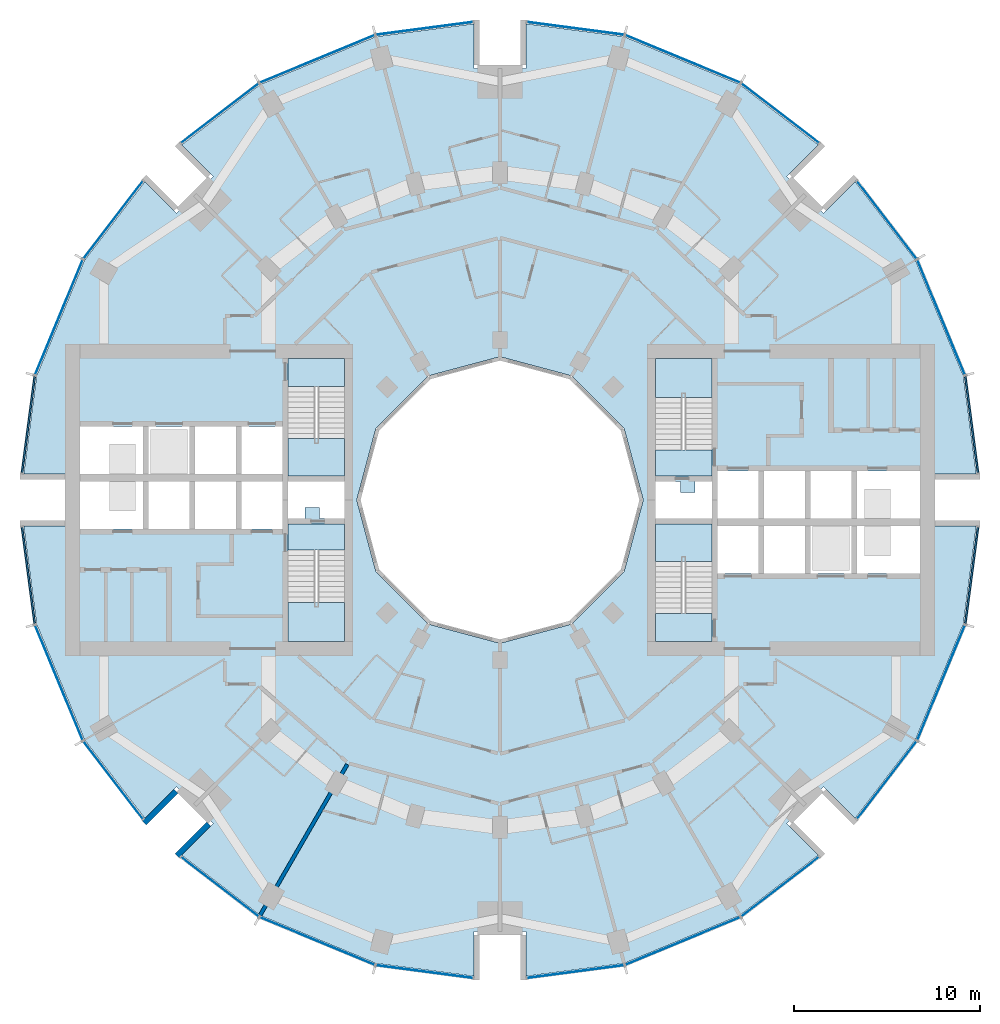
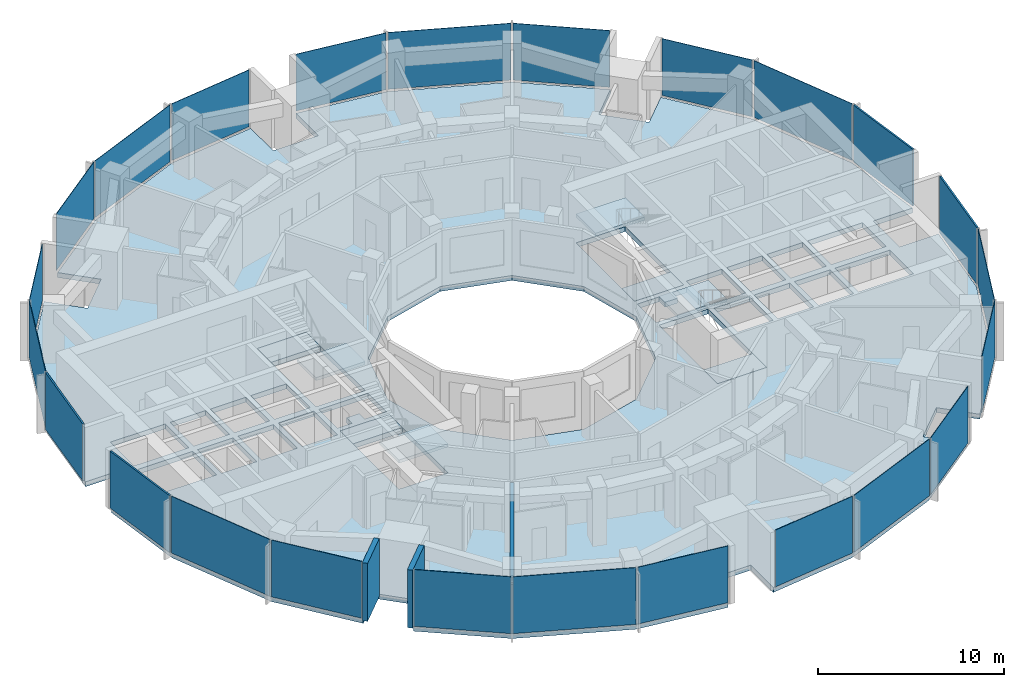
# One storey, part 7 of 15: 24 plates, 9 slabs, 3 walls, 28 elements without a shape of their own.
"""IFC4 building model written with IfcOpenShell, lengths in metres."""

from ifc_helpers import new_model, si_unit, direction, frame, frame_2d, origin, origin_2d, place, context, subcontext, project, spatial, polyline, rectangle, outline, extrude, material, layer, layer_set, type_object, element, aggregate, save


model = new_model("IFC4")

# Units and contexts
model_context = context("Model", 3, precision=1e-05, world=origin(), true_north=direction((0.0, 1.0)))
body_context = subcontext(model_context, "Body", "Model", "MODEL_VIEW")
ifc_project = project(units=[si_unit("LENGTHUNIT", "METRE"), si_unit("AREAUNIT", "SQUARE_METRE"), si_unit("VOLUMEUNIT", "CUBIC_METRE"), si_unit("PLANEANGLEUNIT", "RADIAN"), si_unit("MASSUNIT", "GRAM", prefix="KILO")], contexts=[model_context])

# Site, building, storey
site_placement = place(None, origin())
site = spatial("IfcSite", under=ifc_project, at=site_placement, CompositionType="ELEMENT")
building_placement = place(site_placement, origin())
building = spatial("IfcBuilding", under=site, at=building_placement, Name="Torre Brocal", CompositionType="ELEMENT")
storey_placement = place(building_placement, frame((0.0, 0.0, 36.39990234375)))
storey = spatial("IfcBuildingStorey", under=building, at=storey_placement, Name="L07", CompositionType="ELEMENT", Elevation=36.39990234375)

# Curtain wall, plate
ifc_material_1 = material(Name="Aluminium and glass", Category="aluminium")
ifc_layer_1 = layer(ifc_material_1, 0.199951171875)
ifc_layer_set_1 = layer_set([ifc_layer_1], Name="Aluminium and glass")
curtain_wall_type_1 = type_object("IfcCurtainWallType", Name="CW-1 CURTAIN WALL 3800 HIGH", PredefinedType="NOTDEFINED", material=ifc_layer_set_1)
curtain_wall_1_placement = place(storey_placement, origin())
curtain_wall_1 = element("IfcCurtainWall", 1, at=curtain_wall_1_placement, inside=storey, type_object=curtain_wall_type_1, Name="CW-1 RUN 2", PredefinedType="NOTDEFINED")
ifc_material_2 = material(Name="Glass, dark tinted laminated", Category="glass")
ifc_layer_2 = layer(ifc_material_2, 0.031982421875)
ifc_layer_set_2 = layer_set([ifc_layer_2], Name="Glass, dark tinted laminated")
plate_type_1 = type_object("IfcPlateType", Name="CW-1 GLASS PANEL 32", PredefinedType="CURTAIN_PANEL", material=ifc_layer_set_2)
plate_1_placement = place(storey_placement, frame((103.722900390625, 84.826416015625, 0.080078125), z_axis=(0.0, 0.0, 1.0), x_axis=(-0.382683432333, 0.923879532525, 0.0)))
plate_1 = element("IfcPlate", 2, at=plate_1_placement, type_object=plate_type_1, Name="CW1-1 panel 1.1", PredefinedType="CURTAIN_PANEL", context=body_context, shape_type="SweptSolid", body=[
    extrude(rectangle(XDim=6.64111328125, YDim=0.031982421875, at=origin_2d()), origin(), (0.0, 0.0, 1.0), 3.719970703125),
])
aggregate(curtain_wall_1, [plate_1])

curtain_wall_2_placement = place(storey_placement, origin())
curtain_wall_2 = element("IfcCurtainWall", 3, at=curtain_wall_2_placement, inside=storey, type_object=curtain_wall_type_1, Name="CW-1 RUN 3", PredefinedType="NOTDEFINED")
plate_2_placement = place(storey_placement, frame((100.80126953125, 90.0712890625, 0.080078125), z_axis=(0.0, 0.0, 1.0), x_axis=(-0.60876142905, 0.793353340259, 0.0)))
plate_2 = element("IfcPlate", 4, at=plate_2_placement, type_object=plate_type_1, Name="CW1-1 panel 1.1", PredefinedType="CURTAIN_PANEL", context=body_context, shape_type="SweptSolid", body=[
    extrude(rectangle(XDim=5.22900390625, YDim=0.031982421875, at=origin_2d()), origin(), (0.0, 0.0, 1.0), 3.719970703125),
])
aggregate(curtain_wall_2, [plate_2])

curtain_wall_3_placement = place(storey_placement, origin())
curtain_wall_3 = element("IfcCurtainWall", 5, at=curtain_wall_3_placement, inside=storey, type_object=curtain_wall_type_1, Name="CW-1 RUN 4", PredefinedType="NOTDEFINED")
plate_3_placement = place(storey_placement, frame((95.0712890625, 95.80126953125, 0.080078125), z_axis=(0.0, 0.0, 1.0), x_axis=(-0.793353340259, 0.60876142905, 0.0)))
plate_3 = element("IfcPlate", 6, at=plate_3_placement, type_object=plate_type_1, Name="CW1-1 panel 1.1", PredefinedType="CURTAIN_PANEL", context=body_context, shape_type="SweptSolid", body=[
    extrude(rectangle(XDim=5.22900390625, YDim=0.031982421875, at=origin_2d()), origin(), (0.0, 0.0, 1.0), 3.719970703125),
])
aggregate(curtain_wall_3, [plate_3])

curtain_wall_4_placement = place(storey_placement, origin())
curtain_wall_4 = element("IfcCurtainWall", 7, at=curtain_wall_4_placement, inside=storey, type_object=curtain_wall_type_1, Name="CW-1 RUN 5", PredefinedType="NOTDEFINED")
plate_4_placement = place(storey_placement, frame((89.826416015625, 98.722900390625, 0.080078125), z_axis=(0.0, 0.0, 1.0), x_axis=(-0.923879532525, 0.382683432333, 0.0)))
plate_4 = element("IfcPlate", 8, at=plate_4_placement, type_object=plate_type_1, Name="CW1-1 panel 1.1", PredefinedType="CURTAIN_PANEL", context=body_context, shape_type="SweptSolid", body=[
    extrude(rectangle(XDim=6.64111328125, YDim=0.031982421875, at=origin_2d()), origin(), (0.0, 0.0, 1.0), 3.719970703125),
])
aggregate(curtain_wall_4, [plate_4])

curtain_wall_5_placement = place(storey_placement, origin())
curtain_wall_5 = element("IfcCurtainWall", 9, at=curtain_wall_5_placement, inside=storey, type_object=curtain_wall_type_1, Name="CW-1 RUN 6", PredefinedType="NOTDEFINED")
plate_5_placement = place(storey_placement, frame((84.051513671875, 100.36572265625, 0.080078125), z_axis=(0.0, 0.0, 1.0), x_axis=(-0.991444861374, 0.13052619222, 0.0)))
plate_5 = element("IfcPlate", 10, at=plate_5_placement, type_object=plate_type_1, Name="CW1-1 panel 1.1", PredefinedType="CURTAIN_PANEL", context=body_context, shape_type="SweptSolid", body=[
    extrude(rectangle(XDim=5.22900390625, YDim=0.031982421875, at=origin_2d()), origin(), (0.0, 0.0, 1.0), 3.719970703125),
])
aggregate(curtain_wall_5, [plate_5])

curtain_wall_6_placement = place(storey_placement, origin())
curtain_wall_6 = element("IfcCurtainWall", 11, at=curtain_wall_6_placement, inside=storey, type_object=curtain_wall_type_1, Name="CW-1 RUN 7", PredefinedType="NOTDEFINED")
plate_6_placement = place(storey_placement, frame((75.948486328125, 100.36572265625, 0.080078125), z_axis=(0.0, 0.0, 1.0), x_axis=(-0.991444861374, -0.13052619222, 0.0)))
plate_6 = element("IfcPlate", 12, at=plate_6_placement, type_object=plate_type_1, Name="CW1-1 panel 1.1", PredefinedType="CURTAIN_PANEL", context=body_context, shape_type="SweptSolid", body=[
    extrude(rectangle(XDim=5.22900390625, YDim=0.031982421875, at=origin_2d()), origin(), (0.0, 0.0, 1.0), 3.719970703125),
])
aggregate(curtain_wall_6, [plate_6])

curtain_wall_7_placement = place(storey_placement, origin())
curtain_wall_7 = element("IfcCurtainWall", 13, at=curtain_wall_7_placement, inside=storey, type_object=curtain_wall_type_1, Name="CW-1 RUN 8", PredefinedType="NOTDEFINED")
plate_7_placement = place(storey_placement, frame((70.173583984375, 98.722900390625, 0.080078125), z_axis=(0.0, 0.0, 1.0), x_axis=(-0.923879532525, -0.382683432333, 0.0)))
plate_7 = element("IfcPlate", 14, at=plate_7_placement, type_object=plate_type_1, Name="CW1-1 panel 1.1", PredefinedType="CURTAIN_PANEL", context=body_context, shape_type="SweptSolid", body=[
    extrude(rectangle(XDim=6.64111328125, YDim=0.031982421875, at=origin_2d()), origin(), (0.0, 0.0, 1.0), 3.719970703125),
])
aggregate(curtain_wall_7, [plate_7])

curtain_wall_8_placement = place(storey_placement, origin())
curtain_wall_8 = element("IfcCurtainWall", 15, at=curtain_wall_8_placement, inside=storey, type_object=curtain_wall_type_1, Name="CW-1 RUN 9", PredefinedType="NOTDEFINED")
plate_8_placement = place(storey_placement, frame((64.9287109375, 95.80126953125, 0.080078125), z_axis=(0.0, 0.0, 1.0), x_axis=(-0.793353340259, -0.60876142905, 0.0)))
plate_8 = element("IfcPlate", 16, at=plate_8_placement, type_object=plate_type_1, Name="CW1-1 panel 1.1", PredefinedType="CURTAIN_PANEL", context=body_context, shape_type="SweptSolid", body=[
    extrude(rectangle(XDim=5.22900390625, YDim=0.031982421875, at=origin_2d()), origin(), (0.0, 0.0, 1.0), 3.719970703125),
])
aggregate(curtain_wall_8, [plate_8])

curtain_wall_9_placement = place(storey_placement, origin())
curtain_wall_9 = element("IfcCurtainWall", 17, at=curtain_wall_9_placement, inside=storey, type_object=curtain_wall_type_1, Name="CW-1 RUN 10", PredefinedType="NOTDEFINED")
plate_9_placement = place(storey_placement, frame((59.19873046875, 90.0712890625, 0.080078125), z_axis=(0.0, 0.0, 1.0), x_axis=(-0.60876142905, -0.793353340259, 0.0)))
plate_9 = element("IfcPlate", 18, at=plate_9_placement, type_object=plate_type_1, Name="CW1-1 panel 1.1", PredefinedType="CURTAIN_PANEL", context=body_context, shape_type="SweptSolid", body=[
    extrude(rectangle(XDim=5.22900390625, YDim=0.031982421875, at=origin_2d()), origin(), (0.0, 0.0, 1.0), 3.719970703125),
])
aggregate(curtain_wall_9, [plate_9])

curtain_wall_10_placement = place(storey_placement, origin())
curtain_wall_10 = element("IfcCurtainWall", 19, at=curtain_wall_10_placement, inside=storey, type_object=curtain_wall_type_1, Name="CW-1 RUN 11", PredefinedType="NOTDEFINED")
plate_10_placement = place(storey_placement, frame((56.277099609375, 84.826416015625, 0.080078125), z_axis=(0.0, 0.0, 1.0), x_axis=(-0.382683432333, -0.923879532525, 0.0)))
plate_10 = element("IfcPlate", 20, at=plate_10_placement, type_object=plate_type_1, Name="CW1-1 panel 1.1", PredefinedType="CURTAIN_PANEL", context=body_context, shape_type="SweptSolid", body=[
    extrude(rectangle(XDim=6.64111328125, YDim=0.031982421875, at=origin_2d()), origin(), (0.0, 0.0, 1.0), 3.719970703125),
])
aggregate(curtain_wall_10, [plate_10])

curtain_wall_11_placement = place(storey_placement, origin())
curtain_wall_11 = element("IfcCurtainWall", 21, at=curtain_wall_11_placement, inside=storey, type_object=curtain_wall_type_1, Name="CW-1 RUN 14", PredefinedType="NOTDEFINED")
plate_11_placement = place(storey_placement, frame((56.277099609375, 65.173583984375, 0.080078125), z_axis=(0.0, 0.0, 1.0), x_axis=(0.382683432333, -0.923879532525, 0.0)))
plate_11 = element("IfcPlate", 22, at=plate_11_placement, type_object=plate_type_1, Name="CW1-1 panel 1.1", PredefinedType="CURTAIN_PANEL", context=body_context, shape_type="SweptSolid", body=[
    extrude(rectangle(XDim=6.64111328125, YDim=0.031982421875, at=origin_2d()), origin(), (0.0, 0.0, 1.0), 3.719970703125),
])
aggregate(curtain_wall_11, [plate_11])

curtain_wall_12_placement = place(storey_placement, origin())
curtain_wall_12 = element("IfcCurtainWall", 23, at=curtain_wall_12_placement, inside=storey, type_object=curtain_wall_type_1, Name="CW-1 RUN 15", PredefinedType="NOTDEFINED")
plate_12_placement = place(storey_placement, frame((59.19873046875, 59.9287109375, 0.080078125), z_axis=(0.0, 0.0, 1.0), x_axis=(0.60876142905, -0.793353340259, 0.0)))
plate_12 = element("IfcPlate", 24, at=plate_12_placement, type_object=plate_type_1, Name="CW1-1 panel 1.1", PredefinedType="CURTAIN_PANEL", context=body_context, shape_type="SweptSolid", body=[
    extrude(rectangle(XDim=5.22900390625, YDim=0.031982421875, at=origin_2d()), origin(), (0.0, 0.0, 1.0), 3.719970703125),
])
aggregate(curtain_wall_12, [plate_12])

curtain_wall_13_placement = place(storey_placement, origin())
curtain_wall_13 = element("IfcCurtainWall", 25, at=curtain_wall_13_placement, inside=storey, type_object=curtain_wall_type_1, Name="CW-1 RUN 16", PredefinedType="NOTDEFINED")
plate_13_placement = place(storey_placement, frame((64.9287109375, 54.19873046875, 0.080078125), z_axis=(0.0, 0.0, 1.0), x_axis=(0.793353340259, -0.60876142905, 0.0)))
plate_13 = element("IfcPlate", 26, at=plate_13_placement, type_object=plate_type_1, Name="CW1-1 panel 1.1", PredefinedType="CURTAIN_PANEL", context=body_context, shape_type="SweptSolid", body=[
    extrude(rectangle(XDim=5.22900390625, YDim=0.031982421875, at=origin_2d()), origin(), (0.0, 0.0, 1.0), 3.719970703125),
])
aggregate(curtain_wall_13, [plate_13])

curtain_wall_14_placement = place(storey_placement, origin())
curtain_wall_14 = element("IfcCurtainWall", 27, at=curtain_wall_14_placement, inside=storey, type_object=curtain_wall_type_1, Name="CW-1 RUN 17", PredefinedType="NOTDEFINED")
plate_14_placement = place(storey_placement, frame((70.173583984375, 51.277099609375, 0.080078125), z_axis=(0.0, 0.0, 1.0), x_axis=(0.923879532525, -0.382683432333, 0.0)))
plate_14 = element("IfcPlate", 28, at=plate_14_placement, type_object=plate_type_1, Name="CW1-1 panel 1.1", PredefinedType="CURTAIN_PANEL", context=body_context, shape_type="SweptSolid", body=[
    extrude(rectangle(XDim=6.64111328125, YDim=0.031982421875, at=origin_2d()), origin(), (0.0, 0.0, 1.0), 3.719970703125),
])
aggregate(curtain_wall_14, [plate_14])

curtain_wall_15_placement = place(storey_placement, origin())
curtain_wall_15 = element("IfcCurtainWall", 29, at=curtain_wall_15_placement, inside=storey, type_object=curtain_wall_type_1, Name="CW-1 RUN 18", PredefinedType="NOTDEFINED")
plate_15_placement = place(storey_placement, frame((75.948486328125, 49.63427734375, 0.080078125), z_axis=(0.0, 0.0, 1.0), x_axis=(0.991444861374, -0.13052619222, 0.0)))
plate_15 = element("IfcPlate", 30, at=plate_15_placement, type_object=plate_type_1, Name="CW1-1 panel 1.1", PredefinedType="CURTAIN_PANEL", context=body_context, shape_type="SweptSolid", body=[
    extrude(rectangle(XDim=5.22900390625, YDim=0.031982421875, at=origin_2d()), origin(), (0.0, 0.0, 1.0), 3.719970703125),
])
aggregate(curtain_wall_15, [plate_15])

curtain_wall_16_placement = place(storey_placement, origin())
curtain_wall_16 = element("IfcCurtainWall", 31, at=curtain_wall_16_placement, inside=storey, type_object=curtain_wall_type_1, Name="CW-1 RUN 19", PredefinedType="NOTDEFINED")
plate_16_placement = place(storey_placement, frame((84.051513671875, 49.63427734375, 0.080078125), z_axis=(0.0, 0.0, 1.0), x_axis=(0.991444861374, 0.13052619222, 0.0)))
plate_16 = element("IfcPlate", 32, at=plate_16_placement, type_object=plate_type_1, Name="CW1-1 panel 1.1", PredefinedType="CURTAIN_PANEL", context=body_context, shape_type="SweptSolid", body=[
    extrude(rectangle(XDim=5.22900390625, YDim=0.031982421875, at=origin_2d()), origin(), (0.0, 0.0, 1.0), 3.719970703125),
])
aggregate(curtain_wall_16, [plate_16])

curtain_wall_17_placement = place(storey_placement, origin())
curtain_wall_17 = element("IfcCurtainWall", 33, at=curtain_wall_17_placement, inside=storey, type_object=curtain_wall_type_1, Name="CW-1 RUN 20", PredefinedType="NOTDEFINED")
plate_17_placement = place(storey_placement, frame((89.826416015625, 51.277099609375, 0.080078125), z_axis=(0.0, 0.0, 1.0), x_axis=(0.923879532525, 0.382683432333, 0.0)))
plate_17 = element("IfcPlate", 34, at=plate_17_placement, type_object=plate_type_1, Name="CW1-1 panel 1.1", PredefinedType="CURTAIN_PANEL", context=body_context, shape_type="SweptSolid", body=[
    extrude(rectangle(XDim=6.64111328125, YDim=0.031982421875, at=origin_2d()), origin(), (0.0, 0.0, 1.0), 3.719970703125),
])
aggregate(curtain_wall_17, [plate_17])

curtain_wall_18_placement = place(storey_placement, origin())
curtain_wall_18 = element("IfcCurtainWall", 35, at=curtain_wall_18_placement, inside=storey, type_object=curtain_wall_type_1, Name="CW-1 RUN 21", PredefinedType="NOTDEFINED")
plate_18_placement = place(storey_placement, frame((95.0712890625, 54.19873046875, 0.080078125), z_axis=(0.0, 0.0, 1.0), x_axis=(0.793353340259, 0.60876142905, 0.0)))
plate_18 = element("IfcPlate", 36, at=plate_18_placement, type_object=plate_type_1, Name="CW1-1 panel 1.1", PredefinedType="CURTAIN_PANEL", context=body_context, shape_type="SweptSolid", body=[
    extrude(rectangle(XDim=5.22900390625, YDim=0.031982421875, at=origin_2d()), origin(), (0.0, 0.0, 1.0), 3.719970703125),
])
aggregate(curtain_wall_18, [plate_18])

curtain_wall_19_placement = place(storey_placement, origin())
curtain_wall_19 = element("IfcCurtainWall", 37, at=curtain_wall_19_placement, inside=storey, type_object=curtain_wall_type_1, Name="CW-1 RUN 22", PredefinedType="NOTDEFINED")
plate_19_placement = place(storey_placement, frame((100.80126953125, 59.9287109375, 0.080078125), z_axis=(0.0, 0.0, 1.0), x_axis=(0.60876142905, 0.793353340259, 0.0)))
plate_19 = element("IfcPlate", 38, at=plate_19_placement, type_object=plate_type_1, Name="CW1-1 panel 1.1", PredefinedType="CURTAIN_PANEL", context=body_context, shape_type="SweptSolid", body=[
    extrude(rectangle(XDim=5.22900390625, YDim=0.031982421875, at=origin_2d()), origin(), (0.0, 0.0, 1.0), 3.719970703125),
])
aggregate(curtain_wall_19, [plate_19])

curtain_wall_20_placement = place(storey_placement, origin())
curtain_wall_20 = element("IfcCurtainWall", 39, at=curtain_wall_20_placement, inside=storey, type_object=curtain_wall_type_1, Name="CW-1 RUN 23", PredefinedType="NOTDEFINED")
plate_20_placement = place(storey_placement, frame((103.722900390625, 65.173583984375, 0.080078125), z_axis=(0.0, 0.0, 1.0), x_axis=(0.382683432333, 0.923879532525, 0.0)))
plate_20 = element("IfcPlate", 40, at=plate_20_placement, type_object=plate_type_1, Name="CW1-1 panel 1.1", PredefinedType="CURTAIN_PANEL", context=body_context, shape_type="SweptSolid", body=[
    extrude(rectangle(XDim=6.64111328125, YDim=0.031982421875, at=origin_2d()), origin(), (0.0, 0.0, 1.0), 3.719970703125),
])
aggregate(curtain_wall_20, [plate_20])

ifc_material_3 = material(Name="Aluminium and glass", Category="aluminium")
ifc_layer_3 = layer(ifc_material_3, 0.199951171875)
ifc_layer_set_3 = layer_set([ifc_layer_3], Name="Aluminium and glass")
curtain_wall_type_2 = type_object("IfcCurtainWallType", Name="CW-1B CURTAIN WALL 3800 HIGH", PredefinedType="NOTDEFINED", material=ifc_layer_set_3)
curtain_wall_21_placement = place(storey_placement, origin())
curtain_wall_21 = element("IfcCurtainWall", 41, at=curtain_wall_21_placement, inside=storey, type_object=curtain_wall_type_2, Name="CW-1B RUN 1", PredefinedType="NOTDEFINED")
ifc_material_4 = material(Name="Aluminium composite panel", Category="aluminium")
ifc_layer_4 = layer(ifc_material_4, 0.10009765625)
ifc_layer_set_4 = layer_set([ifc_layer_4], Name="Aluminium composite panel")
plate_type_2 = type_object("IfcPlateType", Name="CW-1B OPAQUE PANEL 100", PredefinedType="CURTAIN_PANEL", material=ifc_layer_set_4)
plate_21_placement = place(storey_placement, frame((105.36572265625, 79.051513671875, 0.080078125), z_axis=(0.0, 0.0, 1.0), x_axis=(-0.13052619222, 0.991444861374, 0.0)))
plate_21 = element("IfcPlate", 42, at=plate_21_placement, type_object=plate_type_2, Name="CW1B-1 panel 1.1", PredefinedType="CURTAIN_PANEL", context=body_context, shape_type="SweptSolid", body=[
    extrude(rectangle(XDim=5.22900390625, YDim=0.10009765625, at=origin_2d()), origin(), (0.0, 0.0, 1.0), 3.719970703125),
])
aggregate(curtain_wall_21, [plate_21])

curtain_wall_22_placement = place(storey_placement, origin())
curtain_wall_22 = element("IfcCurtainWall", 43, at=curtain_wall_22_placement, inside=storey, type_object=curtain_wall_type_2, Name="CW-1B RUN 12", PredefinedType="NOTDEFINED")
plate_22_placement = place(storey_placement, frame((54.63427734375, 79.051513671875, 0.080078125), z_axis=(0.0, 0.0, 1.0), x_axis=(-0.13052619222, -0.991444861374, 0.0)))
plate_22 = element("IfcPlate", 44, at=plate_22_placement, type_object=plate_type_2, Name="CW1B-1 panel 1.1", PredefinedType="CURTAIN_PANEL", context=body_context, shape_type="SweptSolid", body=[
    extrude(rectangle(XDim=5.22900390625, YDim=0.10009765625, at=origin_2d()), origin(), (0.0, 0.0, 1.0), 3.719970703125),
])
aggregate(curtain_wall_22, [plate_22])

curtain_wall_23_placement = place(storey_placement, origin())
curtain_wall_23 = element("IfcCurtainWall", 45, at=curtain_wall_23_placement, inside=storey, type_object=curtain_wall_type_2, Name="CW-1B RUN 13", PredefinedType="NOTDEFINED")
plate_23_placement = place(storey_placement, frame((54.63427734375, 70.948486328125, 0.080078125), z_axis=(0.0, 0.0, 1.0), x_axis=(0.13052619222, -0.991444861374, 0.0)))
plate_23 = element("IfcPlate", 46, at=plate_23_placement, type_object=plate_type_2, Name="CW1B-1 panel 1.1", PredefinedType="CURTAIN_PANEL", context=body_context, shape_type="SweptSolid", body=[
    extrude(rectangle(XDim=5.22900390625, YDim=0.10009765625, at=origin_2d()), origin(), (0.0, 0.0, 1.0), 3.719970703125),
])
aggregate(curtain_wall_23, [plate_23])

curtain_wall_24_placement = place(storey_placement, origin())
curtain_wall_24 = element("IfcCurtainWall", 47, at=curtain_wall_24_placement, inside=storey, type_object=curtain_wall_type_2, Name="CW-1B RUN 24", PredefinedType="NOTDEFINED")
plate_24_placement = place(storey_placement, frame((105.36572265625, 70.948486328125, 0.080078125), z_axis=(0.0, 0.0, 1.0), x_axis=(0.13052619222, 0.991444861374, 0.0)))
plate_24 = element("IfcPlate", 48, at=plate_24_placement, type_object=plate_type_2, Name="CW1B-1 panel 1.1", PredefinedType="CURTAIN_PANEL", context=body_context, shape_type="SweptSolid", body=[
    extrude(rectangle(XDim=5.22900390625, YDim=0.10009765625, at=origin_2d()), origin(), (0.0, 0.0, 1.0), 3.719970703125),
])
aggregate(curtain_wall_24, [plate_24])

# Stair, slab
ifc_material_5 = material(Name="Concrete C50", Category="concrete")
stair_type = type_object("IfcStairType", Name="EXIT STAIR", PredefinedType="HALF_TURN_STAIR", material=ifc_material_5)
stair_1_placement = place(storey_placement, origin())
stair_1 = element("IfcStair", 49, at=stair_1_placement, inside=storey, type_object=stair_type, Name="EXIT STAIR ST1", PredefinedType="HALF_TURN_STAIR")
ifc_material_6 = material(Name="Concrete C50", Category="concrete")
ifc_layer_5 = layer(ifc_material_6, 0.320068359375)
ifc_layer_set_5 = layer_set([ifc_layer_5], Name="Concrete C50")
slab_type_1 = type_object("IfcSlabType", Name="FLOOR LANDING 320", PredefinedType="LANDING", material=ifc_layer_set_5)
slab_1_placement = place(storey_placement, frame((0.0, 0.0, -0.31982421875)))
slab_1 = element("IfcSlab", 50, at=slab_1_placement, type_object=slab_type_1, Name="ST1 landing 1", PredefinedType="LANDING", context=body_context, shape_type="SweptSolid", body=[
    extrude(outline(polyline([(88.35009765625, 76.300048828125), (91.39990234375, 76.300048828125), (91.39990234375, 77.699951171875), (88.35009765625, 77.699951171875), (88.35009765625, 76.300048828125)])), origin(), (0.0, 0.0, 1.0), 0.31982421875),
])

stair_2_placement = place(storey_placement, origin())
stair_2 = element("IfcStair", 51, at=stair_2_placement, inside=storey, type_object=stair_type, Name="EXIT STAIR ST2", PredefinedType="HALF_TURN_STAIR")
slab_2_placement = place(storey_placement, frame((0.0, 0.0, -0.31982421875)))
slab_2 = element("IfcSlab", 52, at=slab_2_placement, type_object=slab_type_1, Name="ST2 landing 1", PredefinedType="LANDING", context=body_context, shape_type="SweptSolid", body=[
    extrude(outline(polyline([(88.35009765625, 67.39990234375), (91.39990234375, 67.39990234375), (91.39990234375, 68.89990234375), (88.35009765625, 68.89990234375), (88.35009765625, 67.39990234375)])), origin(), (0.0, 0.0, 1.0), 0.31982421875),
])

stair_3_placement = place(storey_placement, origin())
stair_3 = element("IfcStair", 53, at=stair_3_placement, inside=storey, type_object=stair_type, Name="EXIT STAIR ST3", PredefinedType="HALF_TURN_STAIR")
slab_3_placement = place(storey_placement, frame((0.0, 0.0, -0.31982421875)))
slab_3 = element("IfcSlab", 54, at=slab_3_placement, type_object=slab_type_1, Name="ST3 landing 1", PredefinedType="LANDING", context=body_context, shape_type="SweptSolid", body=[
    extrude(outline(polyline([(71.64990234375, 73.699951171875), (68.60009765625, 73.699951171875), (68.60009765625, 72.300048828125), (71.64990234375, 72.300048828125), (71.64990234375, 73.699951171875)])), origin(), (0.0, 0.0, 1.0), 0.31982421875),
])

stair_4_placement = place(storey_placement, origin())
stair_4 = element("IfcStair", 55, at=stair_4_placement, inside=storey, type_object=stair_type, Name="EXIT STAIR ST4", PredefinedType="HALF_TURN_STAIR")
slab_4_placement = place(storey_placement, frame((0.0, 0.0, -0.31982421875)))
slab_4 = element("IfcSlab", 56, at=slab_4_placement, type_object=slab_type_1, Name="ST4 landing 1", PredefinedType="LANDING", context=body_context, shape_type="SweptSolid", body=[
    extrude(outline(polyline([(71.64990234375, 82.60009765625), (68.60009765625, 82.60009765625), (68.60009765625, 81.10009765625), (71.64990234375, 81.10009765625), (71.64990234375, 82.60009765625)])), origin(), (0.0, 0.0, 1.0), 0.31982421875),
])

# Slab
ifc_material_7 = material(Name="Concrete C50", Category="concrete")
ifc_layer_6 = layer(ifc_material_7, 0.199951171875)
ifc_layer_set_6 = layer_set([ifc_layer_6], Name="Concrete C50")
slab_type_2 = type_object("IfcSlabType", Name="MID LANDING +1900", PredefinedType="LANDING", material=ifc_layer_set_6)
slab_5_placement = place(storey_placement, frame((0.0, 0.0, 1.7001953125)))
slab_5 = element("IfcSlab", 57, at=slab_5_placement, type_object=slab_type_2, Name="ST1 landing 2", PredefinedType="LANDING", context=body_context, shape_type="SweptSolid", body=[
    extrude(outline(polyline([(88.35009765625, 80.5), (91.39990234375, 80.5), (91.39990234375, 82.60009765625), (88.35009765625, 82.60009765625), (88.35009765625, 80.5)])), origin(), (0.0, 0.0, 1.0), 0.199951171875),
])

aggregate(stair_1, [slab_1, slab_5])

slab_6_placement = place(storey_placement, frame((0.0, 0.0, 1.7001953125)))
slab_6 = element("IfcSlab", 58, at=slab_6_placement, type_object=slab_type_2, Name="ST2 landing 2", PredefinedType="LANDING", context=body_context, shape_type="SweptSolid", body=[
    extrude(outline(polyline([(88.35009765625, 71.699951171875), (91.39990234375, 71.699951171875), (91.39990234375, 73.699951171875), (88.35009765625, 73.699951171875), (88.35009765625, 71.699951171875)])), origin(), (0.0, 0.0, 1.0), 0.199951171875),
])

aggregate(stair_2, [slab_2, slab_6])

slab_7_placement = place(storey_placement, frame((0.0, 0.0, 1.7001953125)))
slab_7 = element("IfcSlab", 59, at=slab_7_placement, type_object=slab_type_2, Name="ST3 landing 2", PredefinedType="LANDING", context=body_context, shape_type="SweptSolid", body=[
    extrude(outline(polyline([(71.64990234375, 69.5), (68.60009765625, 69.5), (68.60009765625, 67.39990234375), (71.64990234375, 67.39990234375), (71.64990234375, 69.5)])), origin(), (0.0, 0.0, 1.0), 0.199951171875),
])

aggregate(stair_3, [slab_3, slab_7])

slab_8_placement = place(storey_placement, frame((0.0, 0.0, 1.7001953125)))
slab_8 = element("IfcSlab", 60, at=slab_8_placement, type_object=slab_type_2, Name="ST4 landing 2", PredefinedType="LANDING", context=body_context, shape_type="SweptSolid", body=[
    extrude(outline(polyline([(71.64990234375, 78.300048828125), (68.60009765625, 78.300048828125), (68.60009765625, 76.300048828125), (71.64990234375, 76.300048828125), (71.64990234375, 78.300048828125)])), origin(), (0.0, 0.0, 1.0), 0.199951171875),
])

aggregate(stair_4, [slab_4, slab_8])

ifc_material_8 = material(Name="Concrete C45", Category="concrete")
ifc_layer_7 = layer(ifc_material_8, 0.320068359375)
ifc_layer_set_7 = layer_set([ifc_layer_7], Name="Concrete C45")
slab_type_3 = type_object("IfcSlabType", Name="PT FLOOR SLAB 320 C45", PredefinedType="FLOOR", material=ifc_layer_set_7)
slab_9_placement = place(storey_placement, frame((0.0, 0.0, -0.31982421875)))
element("IfcSlab", 61, at=slab_9_placement, inside=storey, type_object=slab_type_3, Name="Slab ST-05", PredefinedType="FLOOR", context=body_context, shape_type="SweptSolid", body=[
    extrude(outline(polyline([(103.199951171875, 76.39990234375), (103.199951171875, 73.60009765625), (105.614013671875, 73.60009765625), (104.919189453125, 68.322998046875), (102.342041015625, 62.100830078125), (99.101806640625, 57.878173828125), (97.394775390625, 59.5849609375), (95.4150390625, 57.605224609375), (97.121826171875, 55.898193359375), (92.899169921875, 52.657958984375), (86.677001953125, 50.080810546875), (81.39990234375, 49.385986328125), (81.39990234375, 51.800048828125), (78.60009765625, 51.800048828125), (78.60009765625, 49.385986328125), (73.322998046875, 50.080810546875), (67.100830078125, 52.657958984375), (62.878173828125, 55.898193359375), (64.5849609375, 57.605224609375), (62.605224609375, 59.5849609375), (60.898193359375, 57.878173828125), (57.657958984375, 62.100830078125), (55.080810546875, 68.322998046875), (54.385986328125, 73.60009765625), (56.800048828125, 73.60009765625), (56.800048828125, 76.39990234375), (54.385986328125, 76.39990234375), (55.080810546875, 81.677001953125), (57.657958984375, 87.899169921875), (60.898193359375, 92.121826171875), (62.605224609375, 90.4150390625), (64.5849609375, 92.394775390625), (62.878173828125, 94.101806640625), (67.100830078125, 97.342041015625), (73.322998046875, 99.919189453125), (78.60009765625, 100.614013671875), (78.60009765625, 98.199951171875), (81.39990234375, 98.199951171875), (81.39990234375, 100.614013671875), (86.677001953125, 99.919189453125), (92.899169921875, 97.342041015625), (97.121826171875, 94.101806640625), (95.4150390625, 92.394775390625), (97.394775390625, 90.4150390625), (99.101806640625, 92.121826171875), (102.342041015625, 87.899169921875), (104.919189453125, 81.677001953125), (105.614013671875, 76.39990234375), (103.199951171875, 76.39990234375)]), holes=[polyline([(102.60009765625, 74.0), (102.60009765625, 76.550048828125), (99.199951171875, 76.550048828125), (99.199951171875, 74.0), (102.60009765625, 74.0)]), polyline([(102.60009765625, 71.050048828125), (102.60009765625, 73.60009765625), (99.199951171875, 73.60009765625), (99.199951171875, 71.050048828125), (102.60009765625, 71.050048828125)]), polyline([(98.89990234375, 76.550048828125), (96.699951171875, 76.550048828125), (96.699951171875, 74.0), (98.89990234375, 74.0), (98.89990234375, 76.550048828125)]), polyline([(98.89990234375, 71.050048828125), (98.89990234375, 73.60009765625), (96.699951171875, 73.60009765625), (96.699951171875, 71.050048828125), (98.89990234375, 71.050048828125)]), polyline([(96.39990234375, 73.60009765625), (94.199951171875, 73.60009765625), (94.199951171875, 71.050048828125), (96.39990234375, 71.050048828125), (96.39990234375, 73.60009765625)]), polyline([(96.39990234375, 74.0), (96.39990234375, 76.550048828125), (94.199951171875, 76.550048828125), (94.199951171875, 74.0), (96.39990234375, 74.0)]), polyline([(93.89990234375, 73.60009765625), (91.699951171875, 73.60009765625), (91.699951171875, 71.050048828125), (93.89990234375, 71.050048828125), (93.89990234375, 73.60009765625)]), polyline([(93.89990234375, 74.0), (93.89990234375, 76.550048828125), (91.699951171875, 76.550048828125), (91.699951171875, 74.0), (93.89990234375, 74.0)]), polyline([(91.39990234375, 76.300048828125), (91.39990234375, 82.60009765625), (88.35009765625, 82.60009765625), (88.35009765625, 76.300048828125), (91.39990234375, 76.300048828125)]), polyline([(91.39990234375, 73.699951171875), (88.35009765625, 73.699951171875), (88.35009765625, 67.39990234375), (91.39990234375, 67.39990234375), (91.39990234375, 73.699951171875)]), polyline([(89.699951171875, 76.0), (88.35009765625, 76.0), (88.35009765625, 74.0), (91.39990234375, 74.0), (91.39990234375, 76.0), (90.5, 76.0), (90.5, 75.39990234375), (89.699951171875, 75.39990234375), (89.699951171875, 76.0)]), polyline([(80.0, 82.70703125), (76.146484375, 81.674560546875), (73.325439453125, 78.853515625), (72.29296875, 75.0), (73.325439453125, 71.146484375), (76.146484375, 68.325439453125), (80.0, 67.29296875), (83.853515625, 68.325439453125), (86.674560546875, 71.146484375), (87.70703125, 75.0), (86.674560546875, 78.853515625), (83.853515625, 81.674560546875), (80.0, 82.70703125)]), polyline([(68.60009765625, 82.60009765625), (68.60009765625, 76.300048828125), (71.64990234375, 76.300048828125), (71.64990234375, 82.60009765625), (68.60009765625, 82.60009765625)]), polyline([(70.300048828125, 74.0), (71.64990234375, 74.0), (71.64990234375, 76.0), (68.60009765625, 76.0), (68.60009765625, 74.0), (69.5, 74.0), (69.5, 74.60009765625), (70.300048828125, 74.60009765625), (70.300048828125, 74.0)]), polyline([(68.60009765625, 67.39990234375), (71.64990234375, 67.39990234375), (71.64990234375, 73.699951171875), (68.60009765625, 73.699951171875), (68.60009765625, 67.39990234375)]), polyline([(66.10009765625, 78.949951171875), (66.10009765625, 76.39990234375), (68.300048828125, 76.39990234375), (68.300048828125, 78.949951171875), (66.10009765625, 78.949951171875)]), polyline([(66.10009765625, 76.0), (66.10009765625, 73.449951171875), (68.300048828125, 73.449951171875), (68.300048828125, 76.0), (66.10009765625, 76.0)]), polyline([(63.60009765625, 76.0), (63.60009765625, 73.449951171875), (65.800048828125, 73.449951171875), (65.800048828125, 76.0), (63.60009765625, 76.0)]), polyline([(63.60009765625, 76.39990234375), (65.800048828125, 76.39990234375), (65.800048828125, 78.949951171875), (63.60009765625, 78.949951171875), (63.60009765625, 76.39990234375)]), polyline([(61.10009765625, 78.949951171875), (61.10009765625, 76.39990234375), (63.300048828125, 76.39990234375), (63.300048828125, 78.949951171875), (61.10009765625, 78.949951171875)]), polyline([(61.10009765625, 73.449951171875), (63.300048828125, 73.449951171875), (63.300048828125, 76.0), (61.10009765625, 76.0), (61.10009765625, 73.449951171875)]), polyline([(57.39990234375, 73.449951171875), (60.800048828125, 73.449951171875), (60.800048828125, 76.0), (57.39990234375, 76.0), (57.39990234375, 73.449951171875)]), polyline([(57.39990234375, 78.949951171875), (57.39990234375, 76.39990234375), (60.800048828125, 76.39990234375), (60.800048828125, 78.949951171875), (57.39990234375, 78.949951171875)])]), origin(), (0.0, 0.0, 1.0), 0.31982421875),
])

# Walls
ifc_material_9 = material(Name="Concrete C80", Category="concrete")
ifc_layer_8 = layer(ifc_material_9, 0.300048828125)
ifc_layer_set_8 = layer_set([ifc_layer_8], Name="Concrete C80")
wall_type_1 = type_object("IfcWallType", Name="NOTCH RETURN WALL 300 C80", PredefinedType="NOTDEFINED", material=ifc_layer_set_8)
for number, where, z_axis, x_axis, name in (
    (62, (62.56982421875, 59.337646484375, 0.0), (0.0, 0.0, 1.0), (-0.707106781187, -0.707106781187, 0.0), "NOTCH RETURN WALL"),
    (63, (64.337646484375, 57.56982421875, 0.0), (0.0, 0.0, 1.0), (-0.707106781187, -0.707106781187, 0.0), "NOTCH RETURN WALL"),
):
    element("IfcWall", number, at=place(storey_placement, frame(where, z_axis=z_axis, x_axis=x_axis)), inside=storey, type_object=wall_type_1, Name=name, PredefinedType="NOTDEFINED", context=body_context, shape_type="SweptSolid", body=[
        extrude(rectangle(XDim=2.415771484375, YDim=0.300048828125, at=frame_2d((1.2080078125, 0.0))), origin(), (0.0, 0.0, 1.0), 3.800048828125),
    ])
ifc_material_10 = material(Name="Gypsum board", Category="Gypsum")
ifc_layer_9 = layer(ifc_material_10, 0.199951171875)
ifc_layer_set_9 = layer_set([ifc_layer_9], Name="Gypsum board")
wall_type_2 = type_object("IfcWallType", Name="PARTITION 200 EI60", PredefinedType="PARTITIONING", material=ifc_layer_set_9)
wall_placement = place(storey_placement, frame((67.095947265625, 52.66162109375, 0.0), z_axis=(0.0, 0.0, 1.0), x_axis=(0.500242450002, 0.865885379953, 0.0)))
element("IfcWall", 64, at=wall_placement, inside=storey, type_object=wall_type_2, Name="BATHROOM WALL", PredefinedType="PARTITIONING", context=body_context, shape_type="SweptSolid", body=[
    extrude(rectangle(XDim=9.373779296875, YDim=0.199951171875, at=frame_2d((4.68701171875, 0.0))), origin(), (0.0, 0.0, 1.0), 3.35009765625),
])

save(model, "model.ifc")
